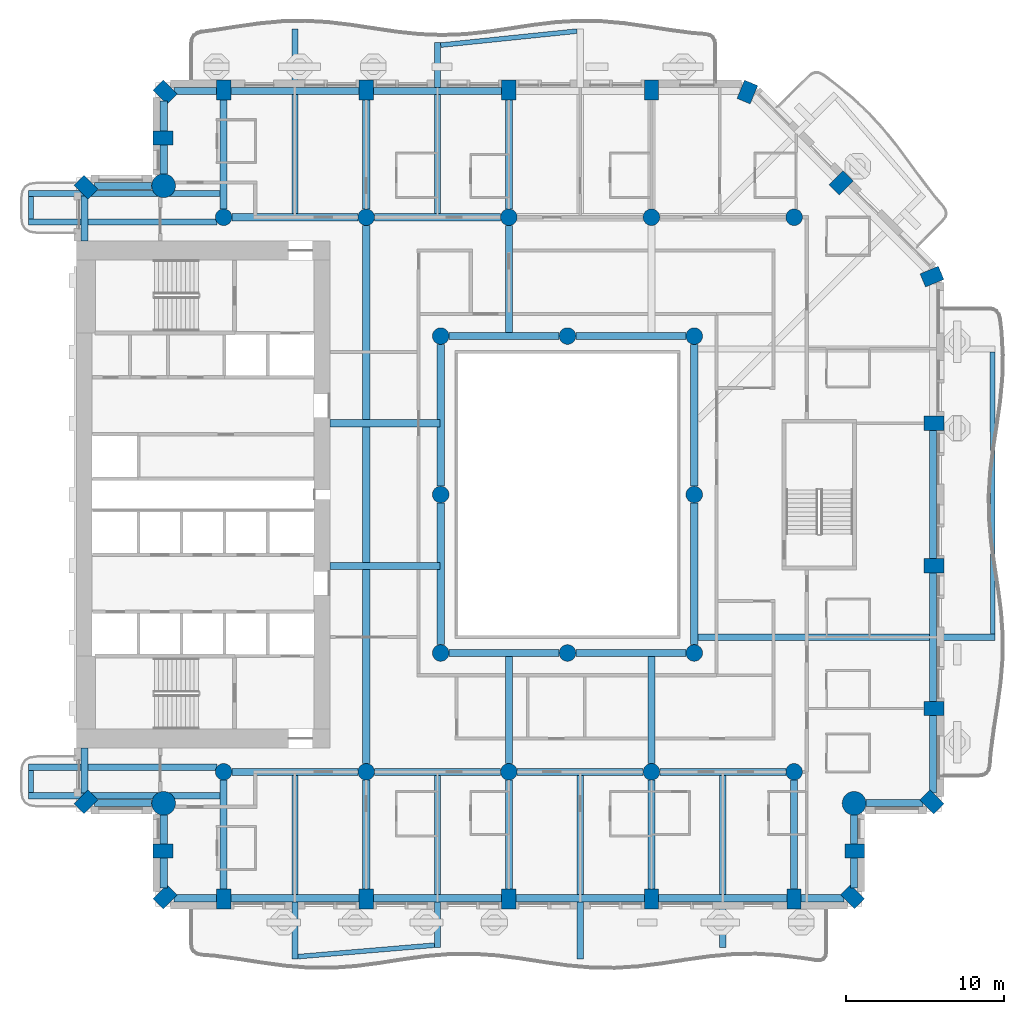
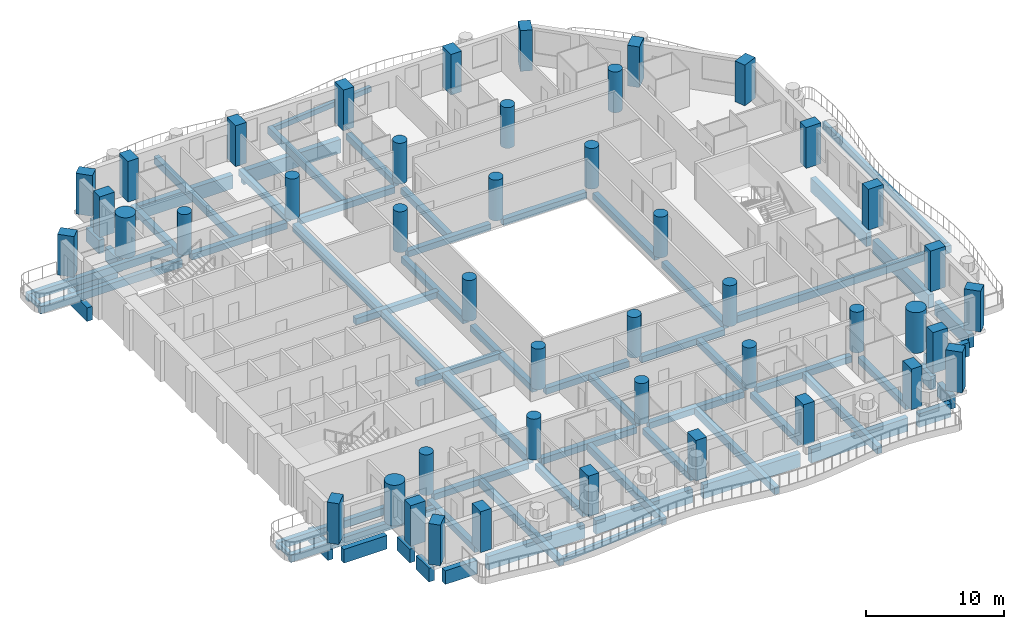
# One storey, part 1 of 20: 69 beams, 45 columns.
"""IFC4 building model written with IfcOpenShell, lengths in metres."""

import ifcopenshell
import ifcopenshell.guid

model = None  # the IFC model being written
_history = None  # IfcOwnerHistory: only IFC2X3 demands one
_inside = {}  # id of a spatial element -> (the spatial element, [elements in it])
_under = {}  # id of a project, library or spatial element -> (it, [spatial elements below it])
_declared = {}  # id of a project -> (the project, [libraries it declares])
_typed = {}  # id of a type object -> (the type object, [elements of that type])
_made_of = {}  # id of a material, layer set ... -> (it, [elements and type objects made of it])


def new_model(schema):
    """Start an empty IFC model of exactly this schema.

    Asked for "IFC4X3", IfcOpenShell would pick the latest addendum, in which some entities
    have other attributes; the version numbers below select the first issue.
    IFC2X3 requires an IfcOwnerHistory on every rooted entity: one is made here for all.
    """
    global model, _history
    if schema == "IFC4X3":
        model = ifcopenshell.file(schema_version=(4, 3, 0, 0))
    else:
        model = ifcopenshell.file(schema=schema)
    _inside.clear()
    _under.clear()
    _declared.clear()
    _typed.clear()
    _made_of.clear()
    _history = None
    if model.schema == "IFC2X3":
        org = make("IfcOrganization", Name="unknown")
        user = make(
            "IfcPersonAndOrganization",
            ThePerson=make("IfcPerson", FamilyName="unknown"),
            TheOrganization=org,
        )
        app = make(
            "IfcApplication",
            ApplicationDeveloper=org,
            Version="unknown",
            ApplicationFullName="unknown",
            ApplicationIdentifier="unknown",
        )
        _history = make(
            "IfcOwnerHistory",
            OwningUser=user,
            OwningApplication=app,
            ChangeAction="ADDED",
            CreationDate=0,
        )
    return model


def make(cls, **values):
    """One entity of the class cls with the attributes given. An attribute that is None is left unset."""
    return model.create_entity(
        cls, **{name: value for name, value in values.items() if value is not None}
    )


def rooted(cls, **values):
    """An entity with a GlobalId (a new one), such as an element, a storey or a relation."""
    return make(cls, GlobalId=ifcopenshell.guid.new(), OwnerHistory=_history, **values)


def si_unit(unit_type, name, prefix=None):
    """IfcSIUnit, for example si_unit("LENGTHUNIT", "METRE", prefix="MILLI")."""
    return make("IfcSIUnit", UnitType=unit_type, Prefix=prefix, Name=name)


def assignment(units):
    """IfcUnitAssignment: the units of a project."""
    return None if units is None else make("IfcUnitAssignment", Units=units)


def point(xyz):
    """IfcCartesianPoint."""
    return None if xyz is None else make("IfcCartesianPoint", Coordinates=xyz)


def direction(xyz):
    """IfcDirection."""
    return None if xyz is None else make("IfcDirection", DirectionRatios=xyz)


def frame(location, z_axis=None, x_axis=None):
    """IfcAxis2Placement3D, a coordinate frame: its origin and axes. An axis left out is left unset."""
    return make(
        "IfcAxis2Placement3D",
        Location=point(location),
        Axis=direction(z_axis),
        RefDirection=direction(x_axis),
    )


def frame_2d(location, x_axis=None):
    """IfcAxis2Placement2D, a coordinate frame in the plane: its origin and x axis."""
    return make(
        "IfcAxis2Placement2D", Location=point(location), RefDirection=direction(x_axis)
    )


def origin():
    """The frame at (0, 0, 0) with its axes left unset."""
    return frame((0.0, 0.0, 0.0))


def origin_2d():
    """The frame at (0, 0) in the plane with its x axis left unset."""
    return frame_2d((0.0, 0.0))


def place(relative_to, where):
    """IfcLocalPlacement: puts the frame where relative to a parent placement (None: the world)."""
    return make(
        "IfcLocalPlacement", PlacementRelTo=relative_to, RelativePlacement=where
    )


def context(
    kind, dimensions, precision=None, world=None, true_north=None, identifier=None
):
    """IfcGeometricRepresentationContext, for example the 3D "Model" context."""
    return make(
        "IfcGeometricRepresentationContext",
        ContextIdentifier=identifier,
        ContextType=kind,
        CoordinateSpaceDimension=dimensions,
        Precision=precision,
        WorldCoordinateSystem=world,
        TrueNorth=true_north,
    )


def subcontext(parent, identifier, kind, view, scale=None):
    """IfcGeometricRepresentationSubContext, for example "Body" below "Model"."""
    return make(
        "IfcGeometricRepresentationSubContext",
        ContextIdentifier=identifier,
        ContextType=kind,
        ParentContext=parent,
        TargetScale=scale,
        TargetView=view,
    )


def project(units=None, contexts=None):
    """IfcProject with its units and contexts."""
    return rooted(
        "IfcProject",
        Name="project",
        RepresentationContexts=contexts,
        UnitsInContext=assignment(units),
    )


def spatial(cls, under=None, at=None, **own):
    """A site, building, storey or space (cls), placed at a placement, below another one or the project."""
    s = rooted(cls, ObjectPlacement=at, **own)
    if under is not None:
        _under.setdefault(under.id(), (under, []))[1].append(s)
    return s


def profile(cls, at=None, kind="AREA", **sizes):
    """A parametric profile (cls). Its sizes go by their IFC names, for example OverallWidth=200.0."""
    return make(cls, ProfileType=kind, Position=at, **sizes)


def rectangle(**sizes):
    """IfcRectangleProfileDef."""
    return profile("IfcRectangleProfileDef", **sizes)


def circle(**sizes):
    """IfcCircleProfileDef."""
    return profile("IfcCircleProfileDef", **sizes)


def extrude(swept, where, along, depth):
    """IfcExtrudedAreaSolid: the profile swept, set in the frame where, extruded along a direction by depth."""
    return make(
        "IfcExtrudedAreaSolid",
        SweptArea=swept,
        Position=where,
        ExtrudedDirection=direction(along),
        Depth=depth,
    )


def shape(context_of_items, identifier, shape_type, items):
    """IfcShapeRepresentation: the items that make up one representation, for example the "Body"."""
    return make(
        "IfcShapeRepresentation",
        ContextOfItems=context_of_items,
        RepresentationIdentifier=identifier,
        RepresentationType=shape_type,
        Items=items,
    )


def material(Name=None, Category=None):
    """IfcMaterial."""
    return make("IfcMaterial", Name=Name, Category=Category)


def material_profile(
    of_material, cross_section, Name=None, Category=None, Priority=None
):
    """IfcMaterialProfile: a cross section and its material."""
    return make(
        "IfcMaterialProfile",
        Name=Name,
        Material=of_material,
        Profile=cross_section,
        Priority=Priority,
        Category=Category,
    )


def profile_set(profiles, Name=None, composite=None):
    """IfcMaterialProfileSet."""
    return make(
        "IfcMaterialProfileSet",
        Name=Name,
        MaterialProfiles=profiles,
        CompositeProfile=composite,
    )


def made_of(thing, what):
    """Note that an element or type object is made of a material, layer set ...; save() writes the relation."""
    if what is not None:
        _made_of.setdefault(what.id(), (what, []))[1].append(thing)
    return thing


def type_object(cls, material=None, **own):
    """A type object (cls), such as IfcWallType, which elements share."""
    return made_of(rooted(cls, **own), material)


def element(
    cls,
    number,
    at=None,
    inside=None,
    cuts=None,
    type_object=None,
    material=None,
    context=None,
    identifier="Body",
    shape_type=None,
    held_by="IfcProductDefinitionShape",
    body=None,
    shapes=None,
    **own,
):
    """One element of the class cls, such as IfcWall. Its Tag is "e" and its number.

    at: its placement. inside: the storey or other place that contains it. cuts: it is an
    opening in that element (IfcRelVoidsElement). A single representation is given by context,
    identifier, shape_type and body (its items); several are given by shapes. held_by: the class
    of the entity that holds the representations. save() writes the other relations.
    """
    e = rooted(cls, Tag="e%d" % number, ObjectPlacement=at, **own)
    if body is not None:
        shapes = [shape(context, identifier, shape_type, body)]
    if shapes is not None:
        e.Representation = make(held_by, Representations=shapes)
    if inside is not None:
        _inside.setdefault(inside.id(), (inside, []))[1].append(e)
    if cuts is not None:
        rooted(
            "IfcRelVoidsElement", RelatingBuildingElement=cuts, RelatedOpeningElement=e
        )
    if type_object is not None:
        _typed.setdefault(type_object.id(), (type_object, []))[1].append(e)
    return made_of(e, material)


def aggregate(whole, parts):
    """IfcRelAggregates: a whole, such as a stair, and the parts it consists of."""
    return rooted("IfcRelAggregates", RelatingObject=whole, RelatedObjects=parts)


def save(model, path):
    """Write the relations noted so far, then the file.

    IfcRelAggregates (storeys below a building ...), IfcRelContainedInSpatialStructure (elements
    in a storey), IfcRelDefinesByType, IfcRelAssociatesMaterial and IfcRelDeclares: one each for
    every whole, place, type object, material and project.
    """
    for whole, parts in _under.values():
        aggregate(whole, parts)
    for where, things in _inside.values():
        rooted(
            "IfcRelContainedInSpatialStructure",
            RelatedElements=things,
            RelatingStructure=where,
        )
    for kind, things in _typed.values():
        rooted("IfcRelDefinesByType", RelatedObjects=things, RelatingType=kind)
    for what, things in _made_of.values():
        rooted("IfcRelAssociatesMaterial", RelatedObjects=things, RelatingMaterial=what)
    for by, libraries in _declared.values():
        rooted("IfcRelDeclares", RelatingContext=by, RelatedDefinitions=libraries)
    model.write(path)


model = new_model("IFC4")

# Units and contexts
model_context = context("Model", 3, precision=1e-05, world=origin(), true_north=direction((0.0, 1.0)))
body_context = subcontext(model_context, "Body", "Model", "MODEL_VIEW")
ifc_project = project(units=[si_unit("LENGTHUNIT", "METRE"), si_unit("AREAUNIT", "SQUARE_METRE"), si_unit("VOLUMEUNIT", "CUBIC_METRE"), si_unit("PLANEANGLEUNIT", "RADIAN"), si_unit("MASSUNIT", "GRAM", prefix="KILO")], contexts=[model_context])

# Site, building, storey
site_placement = place(None, origin())
site = spatial("IfcSite", under=ifc_project, at=site_placement, CompositionType="ELEMENT")
building_placement = place(site_placement, origin())
building = spatial("IfcBuilding", under=site, at=building_placement, Name="Cypress Arch Tower", CompositionType="ELEMENT")
storey_placement = place(building_placement, frame((0.0, 0.0, 109.5)))
storey = spatial("IfcBuildingStorey", under=building, at=storey_placement, Name="L22", CompositionType="ELEMENT", Elevation=109.5)

# Columns
ifc_material_1 = material(Name="Concrete C80/95", Category="concrete")
ifc_material_profile_1 = material_profile(ifc_material_1, rectangle(XDim=0.89990234375, YDim=1.25, at=origin_2d()), Name="RC 900x1250")
ifc_profile_set_1 = profile_set([ifc_material_profile_1], Name="Concrete C80/95")
column_type_1 = type_object("IfcColumnType", Name="Column RC 900x1250 Concrete C80/95", PredefinedType="COLUMN", material=ifc_profile_set_1)
for number, where, z_axis, x_axis, name in (
    (1, (-29.389892578125, 19.389892578125, 0.0), (0.0, 0.0, 1.0), (-0.707106781187, -0.707106781187, 0.0), "Column L22 CA00"),
    (2, (-29.389892578125, -19.389892578125, 0.0), (0.0, 0.0, 1.0), (0.707106781187, -0.707106781187, 0.0), "Column L22 CA01"),
    (3, (-24.52490234375, -22.5, 0.0), (0.0, 0.0, 1.0), (0.0, -1.0, 0.0), "Column L22 CA03"),
    (4, (-24.389892578125, -25.389892578125, 0.0), (0.0, 0.0, 1.0), (0.707106781187, -0.707106781187, 0.0), "Column L22 CA04"),
    (5, (-20.699951171875, -25.52490234375, 0.0), (0.0, 0.0, 1.0), (1.0, 0.0, 0.0), "Column L22 CA05"),
    (6, (-11.699951171875, -25.52490234375, 0.0), (0.0, 0.0, 1.0), (1.0, 0.0, 0.0), "Column L22 CA06"),
    (7, (-2.699951171875, -25.52490234375, 0.0), (0.0, 0.0, 1.0), (1.0, 0.0, 0.0), "Column L22 CA07"),
    (8, (6.300048828125, -25.52490234375, 0.0), (0.0, 0.0, 1.0), (1.0, 0.0, 0.0), "Column L22 CA08"),
    (9, (15.300048828125, -25.52490234375, 0.0), (0.0, 0.0, 1.0), (1.0, 0.0, 0.0), "Column L22 CA09"),
    (10, (18.98974609375, -25.389892578125, 0.0), (0.0, 0.0, 1.0), (0.707106781187, 0.707106781187, 0.0), "Column L22 CA10"),
    (11, (19.125, -22.5, 0.0), (0.0, 0.0, 1.0), (0.0, 1.0, 0.0), "Column L22 CA11"),
    (12, (23.98974609375, -19.389892578125, 0.0), (0.0, 0.0, 1.0), (0.707106781187, 0.707106781187, 0.0), "Column L22 CA13"),
    (13, (24.125, -13.5, 0.0), (0.0, 0.0, 1.0), (0.0, 1.0, 0.0), "Column L22 CA14"),
    (14, (24.125, -4.5, 0.0), (0.0, 0.0, 1.0), (0.0, 1.0, 0.0), "Column L22 CA15"),
    (15, (24.125, 4.5, 0.0), (0.0, 0.0, 1.0), (0.0, 1.0, 0.0), "Column L22 CA16"),
    (16, (24.00048828125, 13.751708984375, 0.0), (0.0, 0.0, 1.0), (-0.382683496864, 0.923879505795, 0.0), "Column L22 CA17"),
    (17, (18.26416015625, 19.6640625, 0.0), (0.0, 0.0, 1.0), (-0.707106781187, 0.707106781187, 0.0), "Column L22 CA18"),
    (18, (12.3515625, 25.400390625, 0.0), (0.0, 0.0, 1.0), (-0.923879505795, 0.382683496864, 0.0), "Column L22 CA19"),
    (19, (6.300048828125, 25.52490234375, 0.0), (0.0, 0.0, 1.0), (-1.0, 0.0, 0.0), "Column L22 CA20"),
    (20, (-2.699951171875, 25.52490234375, 0.0), (0.0, 0.0, 1.0), (-1.0, 0.0, 0.0), "Column L22 CA21"),
    (21, (-11.699951171875, 25.52490234375, 0.0), (0.0, 0.0, 1.0), (-1.0, 0.0, 0.0), "Column L22 CA22"),
    (22, (-20.699951171875, 25.52490234375, 0.0), (0.0, 0.0, 1.0), (-1.0, 0.0, 0.0), "Column L22 CA23"),
    (23, (-24.389892578125, 25.389892578125, 0.0), (0.0, 0.0, 1.0), (-0.707106781187, -0.707106781187, 0.0), "Column L22 CA24"),
    (24, (-24.52490234375, 22.5, 0.0), (0.0, 0.0, 1.0), (0.0, -1.0, 0.0), "Column L22 CA25"),
):
    element("IfcColumn", number, at=place(storey_placement, frame(where, z_axis=z_axis, x_axis=x_axis)), inside=storey, type_object=column_type_1, Name=name, PredefinedType="COLUMN", context=body_context, shape_type="SweptSolid", body=[
        extrude(rectangle(XDim=0.89990234375, YDim=1.25, at=origin_2d()), origin(), (0.0, 0.0, 1.0), 3.60009765625),
    ])
ifc_material_2 = material(Name="Concrete C70/85", Category="concrete")
ifc_material_profile_2 = material_profile(ifc_material_2, circle(Radius=0.52490234375, at=origin_2d()), Name="RC D1050")
ifc_profile_set_2 = profile_set([ifc_material_profile_2], Name="Concrete C70/85")
column_type_2 = type_object("IfcColumnType", Name="Column RC D1050 Concrete C70/85", PredefinedType="COLUMN", material=ifc_profile_set_2)
for number, where, z_axis, x_axis, name in (
    (25, (-20.699951171875, -17.5, 0.0), (0.0, 0.0, 1.0), (1.0, 0.0, 0.0), "Column L22 CIC-L22-CI3S"),
    (26, (-11.699951171875, -17.5, 0.0), (0.0, 0.0, 1.0), (1.0, 0.0, 0.0), "Column L22 CIC-L22-CI4S"),
    (27, (-2.699951171875, -17.5, 0.0), (0.0, 0.0, 1.0), (1.0, 0.0, 0.0), "Column L22 CIC-L22-CI5S"),
    (28, (6.300048828125, -17.5, 0.0), (0.0, 0.0, 1.0), (1.0, 0.0, 0.0), "Column L22 CIC-L22-CI6S"),
    (29, (15.300048828125, -17.5, 0.0), (0.0, 0.0, 1.0), (1.0, 0.0, 0.0), "Column L22 CIC-L22-CI7S"),
    (30, (-20.699951171875, 17.5, 0.0), (0.0, 0.0, 1.0), (1.0, 0.0, 0.0), "Column L22 CIC-L22-CI3N"),
    (31, (-11.699951171875, 17.5, 0.0), (0.0, 0.0, 1.0), (1.0, 0.0, 0.0), "Column L22 CIC-L22-CI4N"),
    (32, (-2.699951171875, 17.5, 0.0), (0.0, 0.0, 1.0), (1.0, 0.0, 0.0), "Column L22 CIC-L22-CI5N"),
    (33, (6.300048828125, 17.5, 0.0), (0.0, 0.0, 1.0), (1.0, 0.0, 0.0), "Column L22 CIC-L22-CI6N"),
    (34, (15.300048828125, 17.5, 0.0), (0.0, 0.0, 1.0), (1.0, 0.0, 0.0), "Column L22 CIC-L22-CI7N"),
    (35, (-7.0, -10.0, 0.0), (0.0, 0.0, 1.0), (1.0, 0.0, 0.0), "Column L22 RNG-L22-G-7-10"),
    (36, (-7.0, 0.0, 0.0), (0.0, 0.0, 1.0), (1.0, 0.0, 0.0), "Column L22 RNG-L22-G-7+0"),
    (37, (-7.0, 10.0, 0.0), (0.0, 0.0, 1.0), (1.0, 0.0, 0.0), "Column L22 RNG-L22-G-7+10"),
    (38, (1.0, -10.0, 0.0), (0.0, 0.0, 1.0), (1.0, 0.0, 0.0), "Column L22 RNG-L22-G+1-10"),
    (39, (1.0, 10.0, 0.0), (0.0, 0.0, 1.0), (1.0, 0.0, 0.0), "Column L22 RNG-L22-G+1+10"),
    (40, (9.0, -10.0, 0.0), (0.0, 0.0, 1.0), (1.0, 0.0, 0.0), "Column L22 RNG-L22-G+9-10"),
    (41, (9.0, 0.0, 0.0), (0.0, 0.0, 1.0), (1.0, 0.0, 0.0), "Column L22 RNG-L22-G+9+0"),
    (42, (9.0, 10.0, 0.0), (0.0, 0.0, 1.0), (1.0, 0.0, 0.0), "Column L22 RNG-L22-G+9+10"),
):
    element("IfcColumn", number, at=place(storey_placement, frame(where, z_axis=z_axis, x_axis=x_axis)), inside=storey, type_object=column_type_2, Name=name, PredefinedType="COLUMN", context=body_context, shape_type="SweptSolid", body=[
        extrude(circle(Radius=0.52490234375, at=origin_2d()), origin(), (0.0, 0.0, 1.0), 3.60009765625),
    ])
ifc_material_3 = material(Name="Concrete C80/95", Category="concrete")
ifc_material_profile_3 = material_profile(ifc_material_3, circle(Radius=0.75, at=origin_2d()), Name="RC D1500")
ifc_profile_set_3 = profile_set([ifc_material_profile_3], Name="Concrete C80/95")
column_type_3 = type_object("IfcColumnType", Name="Mega-column RC D1500 Concrete C80/95", PredefinedType="COLUMN", material=ifc_profile_set_3)
for number, where, z_axis, x_axis, name in (
    (43, (-24.48779296875, -19.48779296875, 0.0), (0.0, 0.0, 1.0), (1.0, 0.0, 0.0), "Column L22 CA02"),
    (44, (19.087890625, -19.48779296875, 0.0), (0.0, 0.0, 1.0), (1.0, 0.0, 0.0), "Column L22 CA12"),
    (45, (-24.48779296875, 19.48779296875, 0.0), (0.0, 0.0, 1.0), (1.0, 0.0, 0.0), "Column L22 CA26"),
):
    element("IfcColumn", number, at=place(storey_placement, frame(where, z_axis=z_axis, x_axis=x_axis)), inside=storey, type_object=column_type_3, Name=name, PredefinedType="COLUMN", context=body_context, shape_type="SweptSolid", body=[
        extrude(circle(Radius=0.75, at=origin_2d()), origin(), (0.0, 0.0, 1.0), 3.60009765625),
    ])

# Beams
ifc_material_4 = material(Name="Concrete C50/60", Category="concrete")
ifc_material_profile_4 = material_profile(ifc_material_4, rectangle(XDim=0.300048828125, YDim=0.449951171875, at=origin_2d()), Name="RC 300x450")
ifc_profile_set_4 = profile_set([ifc_material_profile_4], Name="Concrete C50/60")
beam_type_1 = type_object("IfcBeamType", Name="Balcony edge beam RC 300x450 Concrete C50/60", PredefinedType="BEAM", material=ifc_profile_set_4)
beam_1_placement = place(storey_placement, frame((-16.0, -29.16064453125, -0.52490234375), z_axis=(0.996502311541, 0.083565202643, 0.0), x_axis=(-0.083565202643, 0.996502311541, 0.0)))
element("IfcBeam", 46, at=beam_1_placement, inside=storey, type_object=beam_type_1, Name="Balcony edge beam L22 A03", PredefinedType="BEAM", context=body_context, shape_type="SweptSolid", body=[
    extrude(rectangle(XDim=0.300048828125, YDim=0.449951171875, at=origin_2d()), origin(), (0.0, 0.0, 1.0), 8.63037109375),
])
beam_2_placement = place(storey_placement, frame((1.60009765625, 29.244384765625, -0.52490234375), z_axis=(-0.994766876942, -0.102170742088, 0.0), x_axis=(0.102170742088, -0.994766876942, 0.0)))
element("IfcBeam", 47, at=beam_2_placement, inside=storey, type_object=beam_type_1, Name="Balcony edge beam L22 A08", PredefinedType="BEAM", context=body_context, shape_type="SweptSolid", body=[
    extrude(rectangle(XDim=0.300048828125, YDim=0.449951171875, at=origin_2d()), origin(), (0.0, 0.0, 1.0), 8.645263671875),
])
ifc_material_5 = material(Name="Concrete C50/60", Category="concrete")
ifc_material_profile_5 = material_profile(ifc_material_5, rectangle(XDim=0.300048828125, YDim=0.64990234375, at=origin_2d()), Name="RC 300x650")
ifc_profile_set_5 = profile_set([ifc_material_profile_5], Name="Concrete C50/60")
beam_type_2 = type_object("IfcBeamType", Name="Balcony edge beam RC 300x650 Concrete C50/60", PredefinedType="BEAM", material=ifc_profile_set_5)
beam_3_placement = place(storey_placement, frame((27.83935546875, -8.800048828125, -0.625), z_axis=(-0.000741157375, 0.999999725343, 0.0), x_axis=(-0.999999725343, -0.000741157375, 0.0)))
element("IfcBeam", 48, at=beam_3_placement, inside=storey, type_object=beam_type_2, Name="Balcony edge beam L22 A06", PredefinedType="BEAM", context=body_context, shape_type="SweptSolid", body=[
    extrude(rectangle(XDim=0.300048828125, YDim=0.64990234375, at=origin_2d()), origin(), (0.0, 0.0, 1.0), 17.787841796875),
])
ifc_material_6 = material(Name="Concrete C50/60", Category="concrete")
ifc_material_profile_6 = material_profile(ifc_material_6, rectangle(XDim=0.300048828125, YDim=0.39990234375, at=origin_2d()), Name="RC 300x400")
ifc_profile_set_6 = profile_set([ifc_material_profile_6], Name="Concrete C50/60")
beam_type_3 = type_object("IfcBeamType", Name="Balcony stub beam RC 300x400 Concrete C50/60", PredefinedType="BEAM", material=ifc_profile_set_6)
for number, where, z_axis, x_axis, name in (
    (49, (-32.85009765625, 18.800048828125, -0.5), (0.0, -1.0, 0.0), (1.0, 0.0, 0.0), "Balcony stub beam L22 A00W0"),
    (50, (-32.85009765625, -17.39990234375, -0.5), (0.0, -1.0, 0.0), (1.0, 0.0, 0.0), "Balcony stub beam L22 A00W1"),
):
    element("IfcBeam", number, at=place(storey_placement, frame(where, z_axis=z_axis, x_axis=x_axis)), inside=storey, type_object=beam_type_3, Name=name, PredefinedType="BEAM", context=body_context, shape_type="SweptSolid", body=[
        extrude(rectangle(XDim=0.300048828125, YDim=0.39990234375, at=origin_2d()), origin(), (0.0, 0.0, 1.0), 1.400146484375),
    ])
ifc_material_7 = material(Name="Concrete C50/60", Category="concrete")
ifc_material_profile_7 = material_profile(ifc_material_7, rectangle(XDim=0.39990234375, YDim=0.64990234375, at=origin_2d()), Name="RC 400x650")
ifc_profile_set_7 = profile_set([ifc_material_profile_7], Name="Concrete C50/60")
beam_type_4 = type_object("IfcBeamType", Name="Cantilever beam RC 400x650 Concrete C50/60", PredefinedType="BEAM", material=ifc_profile_set_7)
beam_4_placement = place(storey_placement, frame((-20.925048828125, 19.0, -0.625), z_axis=(-1.0, 0.0, 0.0), x_axis=(0.0, -1.0, 0.0)))
element("IfcBeam", 51, at=beam_4_placement, inside=storey, type_object=beam_type_4, Name="Cantilever beam L22 A00 1", PredefinedType="BEAM", context=body_context, shape_type="SweptSolid", body=[
    extrude(rectangle(XDim=0.39990234375, YDim=0.64990234375, at=origin_2d()), origin(), (0.0, 0.0, 1.0), 12.074951171875),
])
for number, where, z_axis, x_axis, name in (
    (52, (-21.130615234375, 17.199951171875, -0.625), (-1.0, 0.0, 0.0), (0.0, -1.0, 0.0), "Cantilever beam L22 A00 2"),
    (53, (-21.130615234375, -17.199951171875, -0.625), (-1.0, 0.0, 0.0), (0.0, -1.0, 0.0), "Cantilever beam L22 A00 1"),
):
    element("IfcBeam", number, at=place(storey_placement, frame(where, z_axis=z_axis, x_axis=x_axis)), inside=storey, type_object=beam_type_4, Name=name, PredefinedType="BEAM", context=body_context, shape_type="SweptSolid", body=[
        extrude(rectangle(XDim=0.39990234375, YDim=0.64990234375, at=origin_2d()), origin(), (0.0, 0.0, 1.0), 11.869384765625),
    ])
beam_5_placement = place(storey_placement, frame((-20.925048828125, -19.0, -0.625), z_axis=(-1.0, 0.0, 0.0), x_axis=(0.0, -1.0, 0.0)))
element("IfcBeam", 54, at=beam_5_placement, inside=storey, type_object=beam_type_4, Name="Cantilever beam L22 A00 2", PredefinedType="BEAM", context=body_context, shape_type="SweptSolid", body=[
    extrude(rectangle(XDim=0.39990234375, YDim=0.64990234375, at=origin_2d()), origin(), (0.0, 0.0, 1.0), 12.074951171875),
])
beam_6_placement = place(storey_placement, frame((-16.199951171875, -17.72509765625, -0.625), z_axis=(0.0, -1.0, 0.0), x_axis=(1.0, 0.0, 0.0)))
element("IfcBeam", 55, at=beam_6_placement, inside=storey, type_object=beam_type_4, Name="Cantilever beam L22 A03 1", PredefinedType="BEAM", context=body_context, shape_type="SweptSolid", body=[
    extrude(rectangle(XDim=0.39990234375, YDim=0.64990234375, at=origin_2d()), origin(), (0.0, 0.0, 1.0), 11.585693359375),
])
beam_7_placement = place(storey_placement, frame((-7.199951171875, -17.72509765625, -0.625), z_axis=(0.0, -1.0, 0.0), x_axis=(1.0, 0.0, 0.0)))
element("IfcBeam", 56, at=beam_7_placement, inside=storey, type_object=beam_type_4, Name="Cantilever beam L22 A03 2", PredefinedType="BEAM", context=body_context, shape_type="SweptSolid", body=[
    extrude(rectangle(XDim=0.39990234375, YDim=0.64990234375, at=origin_2d()), origin(), (0.0, 0.0, 1.0), 10.8642578125),
])
beam_8_placement = place(storey_placement, frame((1.800048828125, -17.72509765625, -0.625), z_axis=(0.0, -1.0, 0.0), x_axis=(1.0, 0.0, 0.0)))
element("IfcBeam", 57, at=beam_8_placement, inside=storey, type_object=beam_type_4, Name="Cantilever beam L22 A03 3", PredefinedType="BEAM", context=body_context, shape_type="SweptSolid", body=[
    extrude(rectangle(XDim=0.39990234375, YDim=0.64990234375, at=origin_2d()), origin(), (0.0, 0.0, 1.0), 11.585693359375),
])
beam_9_placement = place(storey_placement, frame((10.800048828125, -17.72509765625, -0.625), z_axis=(0.0, -1.0, 0.0), x_axis=(1.0, 0.0, 0.0)))
element("IfcBeam", 58, at=beam_9_placement, inside=storey, type_object=beam_type_4, Name="Cantilever beam L22 A03 4", PredefinedType="BEAM", context=body_context, shape_type="SweptSolid", body=[
    extrude(rectangle(XDim=0.39990234375, YDim=0.64990234375, at=origin_2d()), origin(), (0.0, 0.0, 1.0), 10.863525390625),
])
beam_10_placement = place(storey_placement, frame((9.22509765625, -9.0, -0.625), z_axis=(1.0, 0.0, 0.0), x_axis=(0.0, 1.0, 0.0)))
element("IfcBeam", 59, at=beam_10_placement, inside=storey, type_object=beam_type_4, Name="Cantilever beam L22 A06 1", PredefinedType="BEAM", context=body_context, shape_type="SweptSolid", body=[
    extrude(rectangle(XDim=0.39990234375, YDim=0.64990234375, at=origin_2d()), origin(), (0.0, 0.0, 1.0), 18.764404296875),
])
beam_11_placement = place(storey_placement, frame((-7.199951171875, 17.72509765625, -0.625), z_axis=(0.0, 1.0, 0.0), x_axis=(-1.0, 0.0, 0.0)))
element("IfcBeam", 60, at=beam_11_placement, inside=storey, type_object=beam_type_4, Name="Cantilever beam L22 A08 2", PredefinedType="BEAM", context=body_context, shape_type="SweptSolid", body=[
    extrude(rectangle(XDim=0.39990234375, YDim=0.64990234375, at=origin_2d()), origin(), (0.0, 0.0, 1.0), 10.7861328125),
])
beam_12_placement = place(storey_placement, frame((-16.199951171875, 17.72509765625, -0.625), z_axis=(0.0, 1.0, 0.0), x_axis=(-1.0, 0.0, 0.0)))
element("IfcBeam", 61, at=beam_12_placement, inside=storey, type_object=beam_type_4, Name="Cantilever beam L22 A08 3", PredefinedType="BEAM", context=body_context, shape_type="SweptSolid", body=[
    extrude(rectangle(XDim=0.39990234375, YDim=0.64990234375, at=origin_2d()), origin(), (0.0, 0.0, 1.0), 11.65869140625),
])
ifc_material_8 = material(Name="Concrete C50/60", Category="concrete")
ifc_material_profile_8 = material_profile(ifc_material_8, rectangle(XDim=0.449951171875, YDim=0.550048828125, at=origin_2d()), Name="RC 450x550")
ifc_profile_set_8 = profile_set([ifc_material_profile_8], Name="Concrete C50/60")
beam_type_5 = type_object("IfcBeamType", Name="Floor beam RC 450x550 Concrete C50/60", PredefinedType="BEAM", material=ifc_profile_set_8)
for number, where, z_axis, x_axis, name in (
    (62, (-7.0, -9.47509765625, -0.574951171875), (0.0, 1.0, 0.0), (-1.0, 0.0, 0.0), "Floor beam L22 RB001"),
    (63, (-7.0, 0.52490234375, -0.574951171875), (0.0, 1.0, 0.0), (-1.0, 0.0, 0.0), "Floor beam L22 RB002"),
    (64, (9.0, -9.47509765625, -0.574951171875), (0.0, 1.0, 0.0), (-1.0, 0.0, 0.0), "Floor beam L22 RB003"),
    (65, (9.0, 0.52490234375, -0.574951171875), (0.0, 1.0, 0.0), (-1.0, 0.0, 0.0), "Floor beam L22 RB004"),
):
    element("IfcBeam", number, at=place(storey_placement, frame(where, z_axis=z_axis, x_axis=x_axis)), inside=storey, type_object=beam_type_5, Name=name, PredefinedType="BEAM", context=body_context, shape_type="SweptSolid", body=[
        extrude(rectangle(XDim=0.449951171875, YDim=0.550048828125, at=origin_2d()), origin(), (0.0, 0.0, 1.0), 8.9501953125),
    ])
for number, where, z_axis, x_axis, name in (
    (66, (-6.47509765625, -10.0, -0.574951171875), (1.0, 0.0, 0.0), (0.0, 1.0, 0.0), "Floor beam L22 RB005"),
    (67, (1.52490234375, -10.0, -0.574951171875), (1.0, 0.0, 0.0), (0.0, 1.0, 0.0), "Floor beam L22 RB006"),
    (68, (-6.47509765625, 10.0, -0.574951171875), (1.0, 0.0, 0.0), (0.0, 1.0, 0.0), "Floor beam L22 RB007"),
    (69, (1.52490234375, 10.0, -0.574951171875), (1.0, 0.0, 0.0), (0.0, 1.0, 0.0), "Floor beam L22 RB008"),
):
    element("IfcBeam", number, at=place(storey_placement, frame(where, z_axis=z_axis, x_axis=x_axis)), inside=storey, type_object=beam_type_5, Name=name, PredefinedType="BEAM", context=body_context, shape_type="SweptSolid", body=[
        extrude(rectangle(XDim=0.449951171875, YDim=0.550048828125, at=origin_2d()), origin(), (0.0, 0.0, 1.0), 6.9501953125),
    ])
for number, where, z_axis, x_axis, name in (
    (70, (-20.175048828125, -17.5, -0.574951171875), (1.0, 0.0, 0.0), (0.0, 1.0, 0.0), "Floor beam L22 FB009"),
    (71, (-11.175048828125, -17.5, -0.574951171875), (1.0, 0.0, 0.0), (0.0, 1.0, 0.0), "Floor beam L22 FB010"),
    (72, (-2.175048828125, -17.5, -0.574951171875), (1.0, 0.0, 0.0), (0.0, 1.0, 0.0), "Floor beam L22 FB011"),
    (73, (6.824951171875, -17.5, -0.574951171875), (1.0, 0.0, 0.0), (0.0, 1.0, 0.0), "Floor beam L22 FB012"),
):
    element("IfcBeam", number, at=place(storey_placement, frame(where, z_axis=z_axis, x_axis=x_axis)), inside=storey, type_object=beam_type_5, Name=name, PredefinedType="BEAM", context=body_context, shape_type="SweptSolid", body=[
        extrude(rectangle(XDim=0.449951171875, YDim=0.550048828125, at=origin_2d()), origin(), (0.0, 0.0, 1.0), 7.949951171875),
    ])
for number, where, z_axis, x_axis, name in (
    (74, (-14.0, -4.5, -0.574951171875), (1.0, 0.0, 0.0), (0.0, 1.0, 0.0), "Floor beam L22 FB013"),
    (75, (-14.0, 4.5, -0.574951171875), (1.0, 0.0, 0.0), (0.0, 1.0, 0.0), "Floor beam L22 FB014"),
):
    element("IfcBeam", number, at=place(storey_placement, frame(where, z_axis=z_axis, x_axis=x_axis)), inside=storey, type_object=beam_type_5, Name=name, PredefinedType="BEAM", context=body_context, shape_type="SweptSolid", body=[
        extrude(rectangle(XDim=0.449951171875, YDim=0.550048828125, at=origin_2d()), origin(), (0.0, 0.0, 1.0), 6.949951171875),
    ])
for number, where, z_axis, x_axis, name in (
    (76, (-20.175048828125, 17.5, -0.574951171875), (1.0, 0.0, 0.0), (0.0, 1.0, 0.0), "Floor beam L22 FB015"),
    (77, (-11.175048828125, 17.5, -0.574951171875), (1.0, 0.0, 0.0), (0.0, 1.0, 0.0), "Floor beam L22 FB016"),
):
    element("IfcBeam", number, at=place(storey_placement, frame(where, z_axis=z_axis, x_axis=x_axis)), inside=storey, type_object=beam_type_5, Name=name, PredefinedType="BEAM", context=body_context, shape_type="SweptSolid", body=[
        extrude(rectangle(XDim=0.449951171875, YDim=0.550048828125, at=origin_2d()), origin(), (0.0, 0.0, 1.0), 7.949951171875),
    ])
for number, where, z_axis, x_axis, name in (
    (78, (-20.699951171875, -24.89990234375, -0.574951171875), (0.0, 1.0, 0.0), (-1.0, 0.0, 0.0), "Floor beam L22 FB019"),
    (79, (-20.699951171875, 18.02490234375, -0.574951171875), (0.0, 1.0, 0.0), (-1.0, 0.0, 0.0), "Floor beam L22 FB020"),
    (80, (-11.699951171875, -24.89990234375, -0.574951171875), (0.0, 1.0, 0.0), (-1.0, 0.0, 0.0), "Floor beam L22 FB021"),
):
    element("IfcBeam", number, at=place(storey_placement, frame(where, z_axis=z_axis, x_axis=x_axis)), inside=storey, type_object=beam_type_5, Name=name, PredefinedType="BEAM", context=body_context, shape_type="SweptSolid", body=[
        extrude(rectangle(XDim=0.449951171875, YDim=0.550048828125, at=origin_2d()), origin(), (0.0, 0.0, 1.0), 6.875),
    ])
beam_13_placement = place(storey_placement, frame((-11.699951171875, -4.27490234375, -0.574951171875), z_axis=(0.0, 1.0, 0.0), x_axis=(-1.0, 0.0, 0.0)))
element("IfcBeam", 81, at=beam_13_placement, inside=storey, type_object=beam_type_5, Name="Floor beam L22 FB023", PredefinedType="BEAM", context=body_context, shape_type="SweptSolid", body=[
    extrude(rectangle(XDim=0.449951171875, YDim=0.550048828125, at=origin_2d()), origin(), (0.0, 0.0, 1.0), 8.5498046875),
])
for number, where, z_axis, x_axis, name in (
    (82, (-11.699951171875, 18.02490234375, -0.574951171875), (0.0, 1.0, 0.0), (-1.0, 0.0, 0.0), "Floor beam L22 FB025"),
    (83, (-2.699951171875, -24.89990234375, -0.574951171875), (0.0, 1.0, 0.0), (-1.0, 0.0, 0.0), "Floor beam L22 FB026"),
):
    element("IfcBeam", number, at=place(storey_placement, frame(where, z_axis=z_axis, x_axis=x_axis)), inside=storey, type_object=beam_type_5, Name=name, PredefinedType="BEAM", context=body_context, shape_type="SweptSolid", body=[
        extrude(rectangle(XDim=0.449951171875, YDim=0.550048828125, at=origin_2d()), origin(), (0.0, 0.0, 1.0), 6.875),
    ])
for number, where, z_axis, x_axis, name in (
    (84, (-2.699951171875, -16.97509765625, -0.574951171875), (0.0, 1.0, 0.0), (-1.0, 0.0, 0.0), "Floor beam L22 FB027"),
    (85, (-2.699951171875, 10.22509765625, -0.574951171875), (0.0, 1.0, 0.0), (-1.0, 0.0, 0.0), "Floor beam L22 FB028"),
):
    element("IfcBeam", number, at=place(storey_placement, frame(where, z_axis=z_axis, x_axis=x_axis)), inside=storey, type_object=beam_type_5, Name=name, PredefinedType="BEAM", context=body_context, shape_type="SweptSolid", body=[
        extrude(rectangle(XDim=0.449951171875, YDim=0.550048828125, at=origin_2d()), origin(), (0.0, 0.0, 1.0), 6.75),
    ])
for number, where, z_axis, x_axis, name in (
    (86, (-2.699951171875, 18.02490234375, -0.574951171875), (0.0, 1.0, 0.0), (-1.0, 0.0, 0.0), "Floor beam L22 FB029"),
    (87, (6.300048828125, -24.89990234375, -0.574951171875), (0.0, 1.0, 0.0), (-1.0, 0.0, 0.0), "Floor beam L22 FB030"),
):
    element("IfcBeam", number, at=place(storey_placement, frame(where, z_axis=z_axis, x_axis=x_axis)), inside=storey, type_object=beam_type_5, Name=name, PredefinedType="BEAM", context=body_context, shape_type="SweptSolid", body=[
        extrude(rectangle(XDim=0.449951171875, YDim=0.550048828125, at=origin_2d()), origin(), (0.0, 0.0, 1.0), 6.875),
    ])
beam_14_placement = place(storey_placement, frame((6.300048828125, -16.97509765625, -0.574951171875), z_axis=(0.0, 1.0, 0.0), x_axis=(-1.0, 0.0, 0.0)))
element("IfcBeam", 88, at=beam_14_placement, inside=storey, type_object=beam_type_5, Name="Floor beam L22 FB031", PredefinedType="BEAM", context=body_context, shape_type="SweptSolid", body=[
    extrude(rectangle(XDim=0.449951171875, YDim=0.550048828125, at=origin_2d()), origin(), (0.0, 0.0, 1.0), 6.75),
])
beam_15_placement = place(storey_placement, frame((15.300048828125, -24.89990234375, -0.574951171875), z_axis=(0.0, 1.0, 0.0), x_axis=(-1.0, 0.0, 0.0)))
element("IfcBeam", 89, at=beam_15_placement, inside=storey, type_object=beam_type_5, Name="Floor beam L22 FB034", PredefinedType="BEAM", context=body_context, shape_type="SweptSolid", body=[
    extrude(rectangle(XDim=0.449951171875, YDim=0.550048828125, at=origin_2d()), origin(), (0.0, 0.0, 1.0), 6.875),
])
ifc_material_9 = material(Name="Concrete C50/60", Category="concrete")
ifc_material_profile_9 = material_profile(ifc_material_9, rectangle(XDim=0.5, YDim=0.699951171875, at=origin_2d()), Name="RC 500x700")
ifc_profile_set_9 = profile_set([ifc_material_profile_9], Name="Concrete C50/60")
beam_type_6 = type_object("IfcBeamType", Name="Floor beam RC 500x700 Concrete C50/60", PredefinedType="BEAM", material=ifc_profile_set_9)
for number, where, z_axis, x_axis, name in (
    (90, (-11.699951171875, -16.97509765625, -0.64990234375), (0.0, 1.0, 0.0), (-1.0, 0.0, 0.0), "Floor beam L22 FB022"),
    (91, (-11.699951171875, 4.72509765625, -0.64990234375), (0.0, 1.0, 0.0), (-1.0, 0.0, 0.0), "Floor beam L22 FB024"),
):
    element("IfcBeam", number, at=place(storey_placement, frame(where, z_axis=z_axis, x_axis=x_axis)), inside=storey, type_object=beam_type_6, Name=name, PredefinedType="BEAM", context=body_context, shape_type="SweptSolid", body=[
        extrude(rectangle(XDim=0.5, YDim=0.699951171875, at=origin_2d()), origin(), (0.0, 0.0, 1.0), 12.25),
    ])
ifc_material_10 = material(Name="Concrete C50/60", Category="concrete")
ifc_material_profile_10 = material_profile(ifc_material_10, rectangle(XDim=0.449951171875, YDim=1.199951171875, at=origin_2d()), Name="RC 450x1200")
ifc_profile_set_10 = profile_set([ifc_material_profile_10], Name="Concrete C50/60")
beam_type_7 = type_object("IfcBeamType", Name="Spandrel beam RC 450x1200 Concrete C50/60", PredefinedType="SPANDREL", material=ifc_profile_set_10)
for number, where, z_axis, x_axis, name in (
    (92, (-29.47509765625, 18.838623046875, -1.550048828125), (0.0, -1.0, 0.0), (1.0, 0.0, 0.0), "Spandrel beam L22 BA00-0"),
    (93, (-29.47509765625, -16.0, -1.550048828125), (0.0, -1.0, 0.0), (1.0, 0.0, 0.0), "Spandrel beam L22 BA00-0"),
):
    element("IfcBeam", number, at=place(storey_placement, frame(where, z_axis=z_axis, x_axis=x_axis)), inside=storey, type_object=beam_type_7, Name=name, PredefinedType="SPANDREL", context=body_context, shape_type="SweptSolid", body=[
        extrude(rectangle(XDim=0.449951171875, YDim=1.199951171875, at=origin_2d()), origin(), (0.0, 0.0, 1.0), 2.838623046875),
    ])
beam_16_placement = place(storey_placement, frame((-28.838623046875, -19.47509765625, -1.550048828125), z_axis=(1.0, 0.0, 0.0), x_axis=(0.0, 1.0, 0.0)))
element("IfcBeam", 94, at=beam_16_placement, inside=storey, type_object=beam_type_7, Name="Spandrel beam L22 BA01-0", PredefinedType="SPANDREL", context=body_context, shape_type="SweptSolid", body=[
    extrude(rectangle(XDim=0.449951171875, YDim=1.199951171875, at=origin_2d()), origin(), (0.0, 0.0, 1.0), 3.60107421875),
])
beam_17_placement = place(storey_placement, frame((-24.47509765625, -20.237548828125, -1.550048828125), z_axis=(0.0, -1.0, 0.0), x_axis=(1.0, 0.0, 0.0)))
element("IfcBeam", 95, at=beam_17_placement, inside=storey, type_object=beam_type_7, Name="Spandrel beam L22 BA02-0", PredefinedType="SPANDREL", context=body_context, shape_type="SweptSolid", body=[
    extrude(rectangle(XDim=0.449951171875, YDim=1.199951171875, at=origin_2d()), origin(), (0.0, 0.0, 1.0), 1.8125),
])
beam_18_placement = place(storey_placement, frame((-24.47509765625, -22.949951171875, -1.550048828125), z_axis=(0.0, -1.0, 0.0), x_axis=(1.0, 0.0, 0.0)))
element("IfcBeam", 96, at=beam_18_placement, inside=storey, type_object=beam_type_7, Name="Spandrel beam L22 BA02-1", PredefinedType="SPANDREL", context=body_context, shape_type="SweptSolid", body=[
    extrude(rectangle(XDim=0.449951171875, YDim=1.199951171875, at=origin_2d()), origin(), (0.0, 0.0, 1.0), 1.888671875),
])
beam_19_placement = place(storey_placement, frame((-23.838623046875, -25.47509765625, -1.550048828125), z_axis=(1.0, 0.0, 0.0), x_axis=(0.0, 1.0, 0.0)))
element("IfcBeam", 97, at=beam_19_placement, inside=storey, type_object=beam_type_7, Name="Spandrel beam L22 BA03-0", PredefinedType="SPANDREL", context=body_context, shape_type="SweptSolid", body=[
    extrude(rectangle(XDim=0.449951171875, YDim=1.199951171875, at=origin_2d()), origin(), (0.0, 0.0, 1.0), 2.688720703125),
])
for number, where, z_axis, x_axis, name in (
    (98, (-20.25, -25.47509765625, -1.550048828125), (1.0, 0.0, 0.0), (0.0, 1.0, 0.0), "Spandrel beam L22 BA03-1"),
    (99, (-11.25, -25.47509765625, -1.550048828125), (1.0, 0.0, 0.0), (0.0, 1.0, 0.0), "Spandrel beam L22 BA03-2"),
    (100, (-2.25, -25.47509765625, -1.550048828125), (1.0, 0.0, 0.0), (0.0, 1.0, 0.0), "Spandrel beam L22 BA03-3"),
    (101, (6.75, -25.47509765625, -1.550048828125), (1.0, 0.0, 0.0), (0.0, 1.0, 0.0), "Spandrel beam L22 BA03-4"),
):
    element("IfcBeam", number, at=place(storey_placement, frame(where, z_axis=z_axis, x_axis=x_axis)), inside=storey, type_object=beam_type_7, Name=name, PredefinedType="SPANDREL", context=body_context, shape_type="SweptSolid", body=[
        extrude(rectangle(XDim=0.449951171875, YDim=1.199951171875, at=origin_2d()), origin(), (0.0, 0.0, 1.0), 8.10009765625),
    ])
beam_20_placement = place(storey_placement, frame((15.75, -25.47509765625, -1.550048828125), z_axis=(1.0, 0.0, 0.0), x_axis=(0.0, 1.0, 0.0)))
element("IfcBeam", 102, at=beam_20_placement, inside=storey, type_object=beam_type_7, Name="Spandrel beam L22 BA03-5", PredefinedType="SPANDREL", context=body_context, shape_type="SweptSolid", body=[
    extrude(rectangle(XDim=0.449951171875, YDim=1.199951171875, at=origin_2d()), origin(), (0.0, 0.0, 1.0), 2.688720703125),
])
beam_21_placement = place(storey_placement, frame((19.074951171875, -24.838623046875, -1.550048828125), z_axis=(0.0, 1.0, 0.0), x_axis=(-1.0, 0.0, 0.0)))
element("IfcBeam", 103, at=beam_21_placement, inside=storey, type_object=beam_type_7, Name="Spandrel beam L22 BA04-0", PredefinedType="SPANDREL", context=body_context, shape_type="SweptSolid", body=[
    extrude(rectangle(XDim=0.449951171875, YDim=1.199951171875, at=origin_2d()), origin(), (0.0, 0.0, 1.0), 1.888671875),
])
beam_22_placement = place(storey_placement, frame((19.074951171875, -22.050048828125, -1.550048828125), z_axis=(0.0, 1.0, 0.0), x_axis=(-1.0, 0.0, 0.0)))
element("IfcBeam", 104, at=beam_22_placement, inside=storey, type_object=beam_type_7, Name="Spandrel beam L22 BA04-1", PredefinedType="SPANDREL", context=body_context, shape_type="SweptSolid", body=[
    extrude(rectangle(XDim=0.449951171875, YDim=1.199951171875, at=origin_2d()), origin(), (0.0, 0.0, 1.0), 1.8125),
])
beam_23_placement = place(storey_placement, frame((19.837646484375, -19.47509765625, -1.550048828125), z_axis=(1.0, 0.0, 0.0), x_axis=(0.0, 1.0, 0.0)))
element("IfcBeam", 105, at=beam_23_placement, inside=storey, type_object=beam_type_7, Name="Spandrel beam L22 BA05-0", PredefinedType="SPANDREL", context=body_context, shape_type="SweptSolid", body=[
    extrude(rectangle(XDim=0.449951171875, YDim=1.199951171875, at=origin_2d()), origin(), (0.0, 0.0, 1.0), 3.60107421875),
])
beam_24_placement = place(storey_placement, frame((24.074951171875, -18.838623046875, -1.550048828125), z_axis=(0.0, 1.0, 0.0), x_axis=(-1.0, 0.0, 0.0)))
element("IfcBeam", 106, at=beam_24_placement, inside=storey, type_object=beam_type_7, Name="Spandrel beam L22 BA06-0", PredefinedType="SPANDREL", context=body_context, shape_type="SweptSolid", body=[
    extrude(rectangle(XDim=0.449951171875, YDim=1.199951171875, at=origin_2d()), origin(), (0.0, 0.0, 1.0), 4.888671875),
])
for number, where, z_axis, x_axis, name in (
    (107, (24.074951171875, -13.050048828125, -1.550048828125), (0.0, 1.0, 0.0), (-1.0, 0.0, 0.0), "Spandrel beam L22 BA06-1"),
    (108, (24.074951171875, -4.050048828125, -1.550048828125), (0.0, 1.0, 0.0), (-1.0, 0.0, 0.0), "Spandrel beam L22 BA06-2"),
    (109, (-3.14990234375, 25.47509765625, -1.550048828125), (-1.0, 0.0, 0.0), (0.0, -1.0, 0.0), "Spandrel beam L22 BA08-2"),
    (110, (-12.14990234375, 25.47509765625, -1.550048828125), (-1.0, 0.0, 0.0), (0.0, -1.0, 0.0), "Spandrel beam L22 BA08-3"),
):
    element("IfcBeam", number, at=place(storey_placement, frame(where, z_axis=z_axis, x_axis=x_axis)), inside=storey, type_object=beam_type_7, Name=name, PredefinedType="SPANDREL", context=body_context, shape_type="SweptSolid", body=[
        extrude(rectangle(XDim=0.449951171875, YDim=1.199951171875, at=origin_2d()), origin(), (0.0, 0.0, 1.0), 8.10009765625),
    ])
beam_25_placement = place(storey_placement, frame((-21.14990234375, 25.47509765625, -1.550048828125), z_axis=(-1.0, 0.0, 0.0), x_axis=(0.0, -1.0, 0.0)))
element("IfcBeam", 111, at=beam_25_placement, inside=storey, type_object=beam_type_7, Name="Spandrel beam L22 BA08-4", PredefinedType="SPANDREL", context=body_context, shape_type="SweptSolid", body=[
    extrude(rectangle(XDim=0.449951171875, YDim=1.199951171875, at=origin_2d()), origin(), (0.0, 0.0, 1.0), 2.688720703125),
])
beam_26_placement = place(storey_placement, frame((-24.47509765625, 24.838623046875, -1.550048828125), z_axis=(0.0, -1.0, 0.0), x_axis=(1.0, 0.0, 0.0)))
element("IfcBeam", 112, at=beam_26_placement, inside=storey, type_object=beam_type_7, Name="Spandrel beam L22 BA09-0", PredefinedType="SPANDREL", context=body_context, shape_type="SweptSolid", body=[
    extrude(rectangle(XDim=0.449951171875, YDim=1.199951171875, at=origin_2d()), origin(), (0.0, 0.0, 1.0), 1.888671875),
])
beam_27_placement = place(storey_placement, frame((-24.47509765625, 22.050048828125, -1.550048828125), z_axis=(0.0, -1.0, 0.0), x_axis=(1.0, 0.0, 0.0)))
element("IfcBeam", 113, at=beam_27_placement, inside=storey, type_object=beam_type_7, Name="Spandrel beam L22 BA09-1", PredefinedType="SPANDREL", context=body_context, shape_type="SweptSolid", body=[
    extrude(rectangle(XDim=0.449951171875, YDim=1.199951171875, at=origin_2d()), origin(), (0.0, 0.0, 1.0), 1.8125),
])
beam_28_placement = place(storey_placement, frame((-25.237548828125, 19.47509765625, -1.550048828125), z_axis=(-1.0, 0.0, 0.0), x_axis=(0.0, -1.0, 0.0)))
element("IfcBeam", 114, at=beam_28_placement, inside=storey, type_object=beam_type_7, Name="Spandrel beam L22 BA10-0", PredefinedType="SPANDREL", context=body_context, shape_type="SweptSolid", body=[
    extrude(rectangle(XDim=0.449951171875, YDim=1.199951171875, at=origin_2d()), origin(), (0.0, 0.0, 1.0), 3.60107421875),
])

save(model, "model.ifc")
